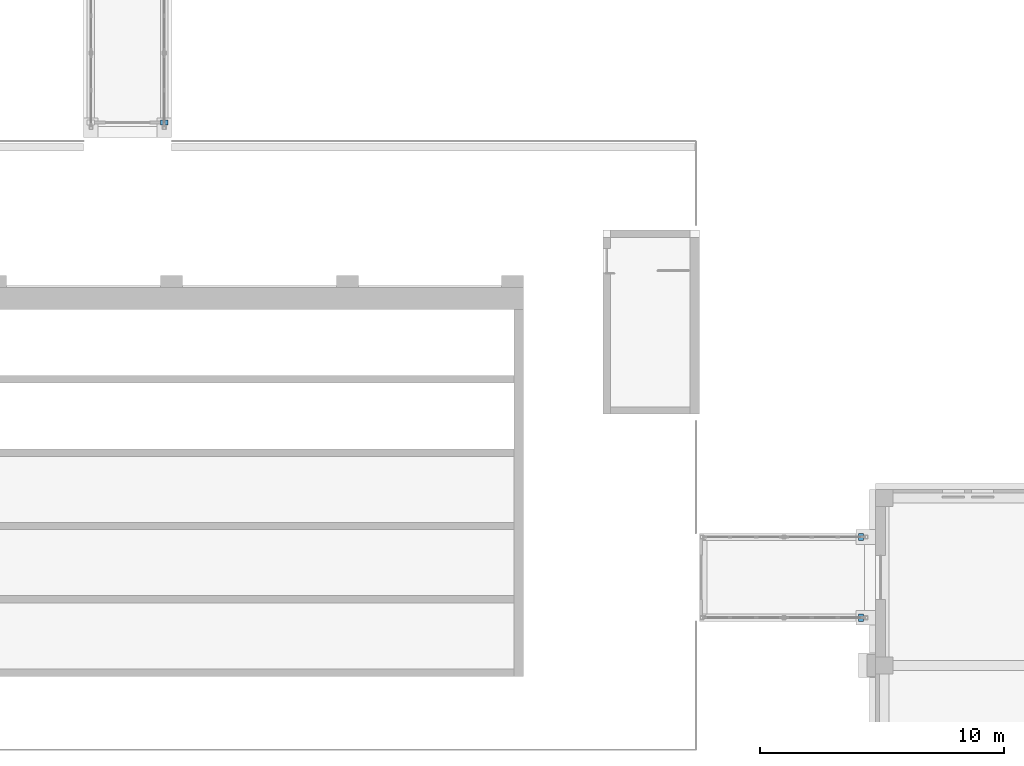
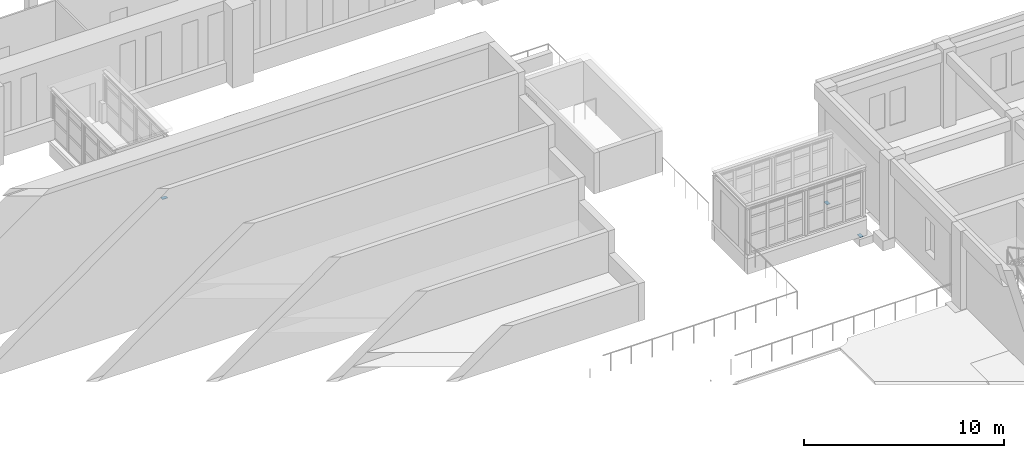
# One storey, part 109 of 131: 3 discrete accessories.
"""IFC4 building model written with IfcOpenShell, lengths in metres."""

from ifc_helpers import new_model, si_unit, direction, frame, origin, origin_2d, place, context, subcontext, project, spatial, rectangle, extrude, material, material_profile, profile_set, type_object, element, save


model = new_model("IFC4")

# Units and contexts
model_context = context("Model", 3, precision=1e-05, world=origin(), true_north=direction((0.0, 1.0)))
body_context = subcontext(model_context, "Body", "Model", "MODEL_VIEW")
ifc_project = project(units=[si_unit("LENGTHUNIT", "METRE"), si_unit("AREAUNIT", "SQUARE_METRE"), si_unit("VOLUMEUNIT", "CUBIC_METRE"), si_unit("PLANEANGLEUNIT", "RADIAN"), si_unit("MASSUNIT", "GRAM", prefix="KILO")], contexts=[model_context])

# Site, building, storey
site_placement = place(None, origin())
site = spatial("IfcSite", under=ifc_project, at=site_placement, CompositionType="ELEMENT")
building_placement = place(site_placement, origin())
building = spatial("IfcBuilding", under=site, at=building_placement, Name="Alderwick Market Hall", CompositionType="ELEMENT")
storey_placement = place(building_placement, frame((0.0, 0.0, 4.800048828125)))
storey = spatial("IfcBuildingStorey", under=building, at=storey_placement, Name="L00", CompositionType="ELEMENT", Elevation=4.800048828125)

# Discrete accessories
ifc_material = material(Name="PTFE-faced stainless steel sliding bearing on steel plate, ASTM A709 Grade 50", Category="steel")
ifc_material_profile = material_profile(ifc_material, rectangle(XDim=0.300048828125, YDim=0.030029296875, at=origin_2d()), Name="P Sliding Bearing 300x200x30")
ifc_profile_set = profile_set([ifc_material_profile], Name="PTFE-faced stainless steel sliding bearing on steel plate, ASTM A709 Grade 50")
discrete_accessory_type = type_object("IfcDiscreteAccessoryType", Name="P Sliding Bearing 300x200x30", PredefinedType="SHOE", material=ifc_profile_set)
for number, where, z_axis, x_axis, name in (
    (1, (129.300048828125, 43.89990234375, -1.1650390625), (0.0, -1.0, 0.0), (1.0, 0.0, 0.0), "Sliding bearing"),
    (2, (157.699951171875, 23.550048828125, -1.1650390625), (1.0, 0.0, 0.0), (0.0, 1.0, 0.0), "Sliding bearing"),
    (3, (157.699951171875, 26.85009765625, -1.1650390625), (1.0, 0.0, 0.0), (0.0, 1.0, 0.0), "Sliding bearing"),
):
    element("IfcDiscreteAccessory", number, at=place(storey_placement, frame(where, z_axis=z_axis, x_axis=x_axis)), inside=storey, type_object=discrete_accessory_type, Name=name, PredefinedType="SHOE", context=body_context, shape_type="SweptSolid", body=[
        extrude(rectangle(XDim=0.300048828125, YDim=0.030029296875, at=origin_2d()), origin(), (0.0, 0.0, 1.0), 0.199951171875),
    ])

save(model, "model.ifc")
